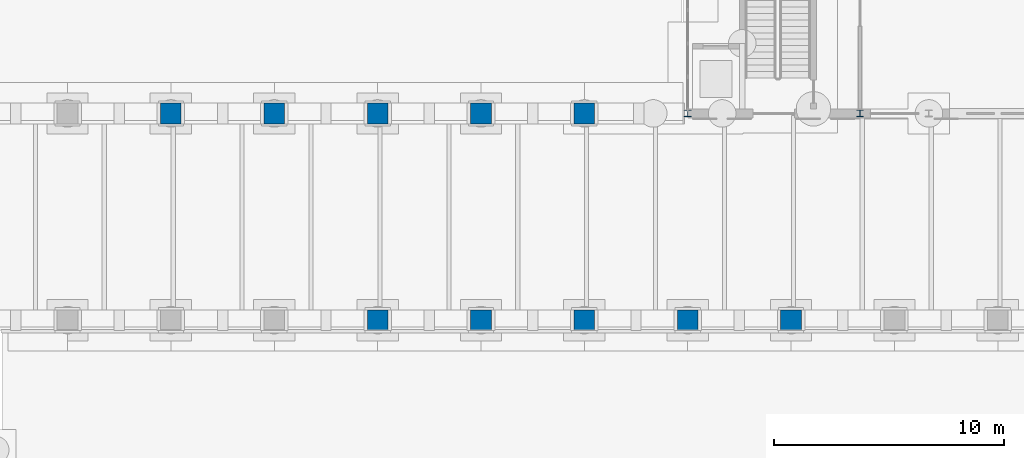
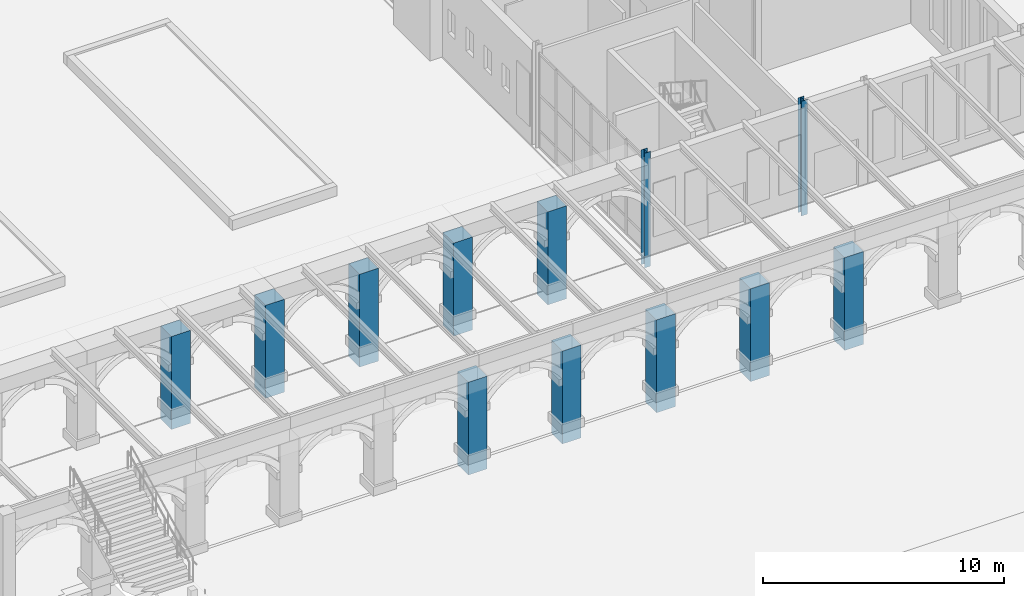
# One storey, part 11 of 168: 12 columns.
"""IFC4 building model written with IfcOpenShell, lengths in metres."""

from ifc_helpers import new_model, si_unit, direction, frame, origin, origin_2d, place, context, subcontext, project, spatial, rectangle, i_section, extrude, material, material_profile, profile_set, type_object, element, save


model = new_model("IFC4")

# Units and contexts
model_context = context("Model", 3, precision=1e-05, world=origin(), true_north=direction((0.0, 1.0)))
body_context = subcontext(model_context, "Body", "Model", "MODEL_VIEW")
ifc_project = project(units=[si_unit("LENGTHUNIT", "METRE"), si_unit("AREAUNIT", "SQUARE_METRE"), si_unit("VOLUMEUNIT", "CUBIC_METRE"), si_unit("PLANEANGLEUNIT", "RADIAN"), si_unit("MASSUNIT", "GRAM", prefix="KILO")], contexts=[model_context])

# Site, building, storey
site_placement = place(None, origin())
site = spatial("IfcSite", under=ifc_project, at=site_placement, CompositionType="ELEMENT")
building_placement = place(site_placement, origin())
building = spatial("IfcBuilding", under=site, at=building_placement, Name="Golden Quay Civic Hall", CompositionType="ELEMENT")
storey_placement = place(building_placement, origin())
storey = spatial("IfcBuildingStorey", under=building, at=storey_placement, Name="L00", CompositionType="ELEMENT", Elevation=0.0)

# Columns
ifc_material_1 = material(Name="Concrete C40/50", Category="concrete")
ifc_material_profile_1 = material_profile(ifc_material_1, rectangle(XDim=0.89990234375, YDim=0.89990234375, at=origin_2d()), Name="RC 900x900")
ifc_profile_set_1 = profile_set([ifc_material_profile_1], Name="Concrete C40/50")
column_type_1 = type_object("IfcColumnType", Name="Concrete column RC 900x900", PredefinedType="COLUMN", material=ifc_profile_set_1)
for number, where, z_axis, x_axis, name in (
    (1, (40.5, -9.0, -0.60009765625), (0.0, 0.0, 1.0), (1.0, 0.0, 0.0), "Arcade pier outer 40.5"),
    (2, (45.0, -9.0, -0.60009765625), (0.0, 0.0, 1.0), (1.0, 0.0, 0.0), "Arcade pier outer 45"),
    (3, (49.5, -9.0, -0.60009765625), (0.0, 0.0, 1.0), (1.0, 0.0, 0.0), "Arcade pier outer 49.5"),
    (4, (54.0, -9.0, -0.60009765625), (0.0, 0.0, 1.0), (1.0, 0.0, 0.0), "Arcade pier outer 54"),
    (5, (58.5, -9.0, -0.60009765625), (0.0, 0.0, 1.0), (1.0, 0.0, 0.0), "Arcade pier outer 58.5"),
    (6, (31.5, 0.0, -0.60009765625), (0.0, 0.0, 1.0), (1.0, 0.0, 0.0), "Arcade pier inner0 31.5"),
    (7, (36.0, 0.0, -0.60009765625), (0.0, 0.0, 1.0), (1.0, 0.0, 0.0), "Arcade pier inner0 36"),
    (8, (40.5, 0.0, -0.60009765625), (0.0, 0.0, 1.0), (1.0, 0.0, 0.0), "Arcade pier inner0 40.5"),
    (9, (45.0, 0.0, -0.60009765625), (0.0, 0.0, 1.0), (1.0, 0.0, 0.0), "Arcade pier inner0 45"),
    (10, (49.5, 0.0, -0.60009765625), (0.0, 0.0, 1.0), (1.0, 0.0, 0.0), "Arcade pier inner0 49.5"),
):
    element("IfcColumn", number, at=place(storey_placement, frame(where, z_axis=z_axis, x_axis=x_axis)), inside=storey, type_object=column_type_1, Name=name, PredefinedType="COLUMN", context=body_context, shape_type="SweptSolid", body=[
        extrude(rectangle(XDim=0.89990234375, YDim=0.89990234375, at=origin_2d()), origin(), (0.0, 0.0, 1.0), 4.7001953125),
    ])
ifc_material_2 = material(Name="Steel S355", Category="steel")
ifc_material_profile_2 = material_profile(ifc_material_2, i_section(OverallWidth=0.300048828125, OverallDepth=0.2900390625, WebThickness=0.008544921875, FlangeThickness=0.013916015625, FilletRadius=0.027099609375, at=origin_2d()), Name="HEA 300")
ifc_profile_set_2 = profile_set([ifc_material_profile_2], Name="Steel S355")
column_type_2 = type_object("IfcColumnType", Name="Steel column HEA 300", PredefinedType="COLUMN", material=ifc_profile_set_2)
for number, where, z_axis, x_axis, name in (
    (11, (54.0, 0.0, -0.60009765625), (0.0, 0.0, 1.0), (1.0, 0.0, 0.0), "Column 54/0 L00"),
    (12, (61.5, 0.0, -0.60009765625), (0.0, 0.0, 1.0), (1.0, 0.0, 0.0), "Column 61.5/0 L00"),
):
    element("IfcColumn", number, at=place(storey_placement, frame(where, z_axis=z_axis, x_axis=x_axis)), inside=storey, type_object=column_type_2, Name=name, PredefinedType="COLUMN", context=body_context, shape_type="SweptSolid", body=[
        extrude(i_section(OverallWidth=0.300048828125, OverallDepth=0.2900390625, WebThickness=0.008544921875, FlangeThickness=0.013916015625, FilletRadius=0.027099609375, at=origin_2d()), origin(), (0.0, 0.0, 1.0), 5.800048828125),
    ])

save(model, "model.ifc")
